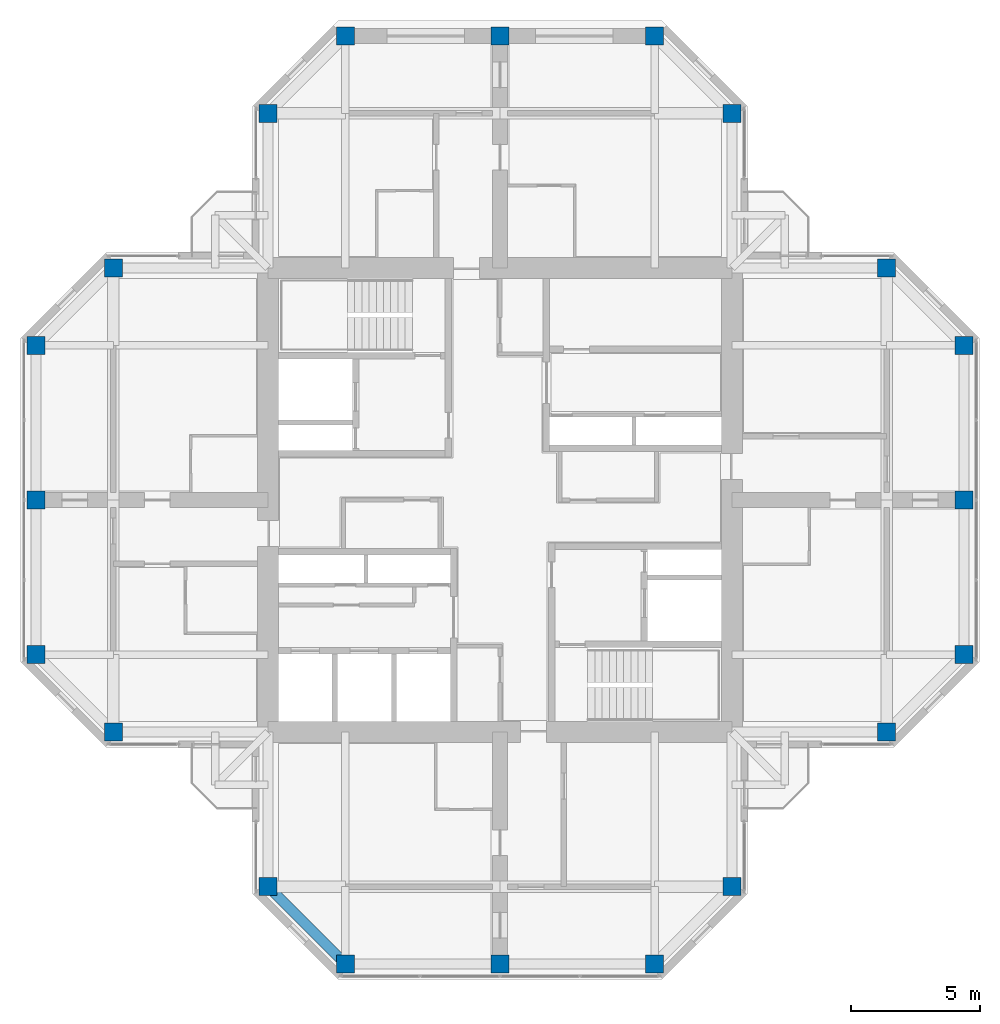
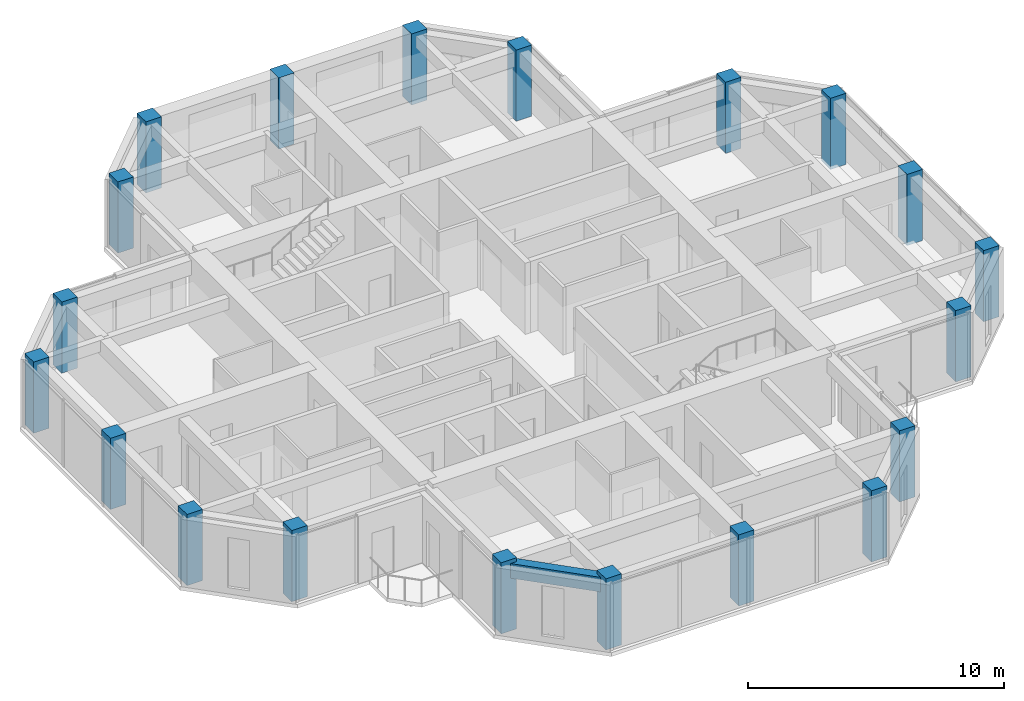
# One storey, part 1 of 13: 20 columns, 1 beam.
"""IFC4 building model written with IfcOpenShell, lengths in metres."""

from ifc_helpers import new_model, si_unit, direction, frame, origin, origin_2d, place, context, subcontext, project, spatial, rectangle, extrude, material, material_profile, profile_set, type_object, element, save


model = new_model("IFC4")

# Units and contexts
model_context = context("Model", 3, precision=1e-05, world=origin(), true_north=direction((0.0, 1.0)))
body_context = subcontext(model_context, "Body", "Model", "MODEL_VIEW")
ifc_project = project(units=[si_unit("LENGTHUNIT", "METRE"), si_unit("AREAUNIT", "SQUARE_METRE"), si_unit("VOLUMEUNIT", "CUBIC_METRE"), si_unit("PLANEANGLEUNIT", "RADIAN"), si_unit("MASSUNIT", "GRAM", prefix="KILO")], contexts=[model_context])

# Site, building, storey
site_placement = place(None, origin())
site = spatial("IfcSite", under=ifc_project, at=site_placement, CompositionType="ELEMENT")
building_placement = place(site_placement, origin())
building = spatial("IfcBuilding", under=site, at=building_placement, Name="Torre Cruceta", CompositionType="ELEMENT")
storey_placement = place(building_placement, frame((0.0, 0.0, 267.89990234375)))
storey = spatial("IfcBuildingStorey", under=building, at=storey_placement, Name="L69", CompositionType="ELEMENT", Elevation=267.89990234375)

# Columns
ifc_material_1 = material(Name="Concrete G60 (fck 60 MPa)", Category="concrete")
ifc_material_profile_1 = material_profile(ifc_material_1, rectangle(XDim=0.699951171875, YDim=0.699951171875, at=origin_2d()), Name="RC 700X700")
ifc_profile_set_1 = profile_set([ifc_material_profile_1], Name="Concrete G60 (fck 60 MPa)")
column_type = type_object("IfcColumnType", Name="COLUMN RC 700X700", PredefinedType="COLUMN", material=ifc_profile_set_1)
for number, where, z_axis, x_axis, name in (
    (1, (9.0, 15.0, 0.0), (0.0, 0.0, 1.0), (1.0, 0.0, 0.0), "C8 L69 N chamfer"),
    (2, (-9.0, 15.0, 0.0), (0.0, 0.0, 1.0), (1.0, 0.0, 0.0), "C8 L69 N chamfer"),
    (3, (6.0, 18.0, 0.0), (0.0, 0.0, 1.0), (1.0, 0.0, 0.0), "C8 L69 N tip"),
    (4, (0.0, 18.0, 0.0), (0.0, 0.0, 1.0), (1.0, 0.0, 0.0), "C8 L69 N tip"),
    (5, (-6.0, 18.0, 0.0), (0.0, 0.0, 1.0), (1.0, 0.0, 0.0), "C8 L69 N tip"),
    (6, (15.0, -9.0, 0.0), (0.0, 0.0, 1.0), (1.0, 0.0, 0.0), "C8 L69 E chamfer"),
    (7, (15.0, 9.0, 0.0), (0.0, 0.0, 1.0), (1.0, 0.0, 0.0), "C8 L69 E chamfer"),
    (8, (18.0, -6.0, 0.0), (0.0, 0.0, 1.0), (1.0, 0.0, 0.0), "C8 L69 E tip"),
    (9, (18.0, 0.0, 0.0), (0.0, 0.0, 1.0), (1.0, 0.0, 0.0), "C8 L69 E tip"),
    (10, (18.0, 6.0, 0.0), (0.0, 0.0, 1.0), (1.0, 0.0, 0.0), "C8 L69 E tip"),
    (11, (-9.0, -15.0, 0.0), (0.0, 0.0, 1.0), (1.0, 0.0, 0.0), "C8 L69 S chamfer"),
    (12, (9.0, -15.0, 0.0), (0.0, 0.0, 1.0), (1.0, 0.0, 0.0), "C8 L69 S chamfer"),
    (13, (-6.0, -18.0, 0.0), (0.0, 0.0, 1.0), (1.0, 0.0, 0.0), "C8 L69 S tip"),
    (14, (0.0, -18.0, 0.0), (0.0, 0.0, 1.0), (1.0, 0.0, 0.0), "C8 L69 S tip"),
    (15, (6.0, -18.0, 0.0), (0.0, 0.0, 1.0), (1.0, 0.0, 0.0), "C8 L69 S tip"),
    (16, (-15.0, 9.0, 0.0), (0.0, 0.0, 1.0), (1.0, 0.0, 0.0), "C8 L69 W chamfer"),
    (17, (-15.0, -9.0, 0.0), (0.0, 0.0, 1.0), (1.0, 0.0, 0.0), "C8 L69 W chamfer"),
    (18, (-18.0, 6.0, 0.0), (0.0, 0.0, 1.0), (1.0, 0.0, 0.0), "C8 L69 W tip"),
    (19, (-18.0, 0.0, 0.0), (0.0, 0.0, 1.0), (1.0, 0.0, 0.0), "C8 L69 W tip"),
    (20, (-18.0, -6.0, 0.0), (0.0, 0.0, 1.0), (1.0, 0.0, 0.0), "C8 L69 W tip"),
):
    element("IfcColumn", number, at=place(storey_placement, frame(where, z_axis=z_axis, x_axis=x_axis)), inside=storey, type_object=column_type, Name=name, PredefinedType="COLUMN", context=body_context, shape_type="SweptSolid", body=[
        extrude(rectangle(XDim=0.699951171875, YDim=0.699951171875, at=origin_2d()), origin(), (0.0, 0.0, 1.0), 3.400146484375),
    ])

# Beam
ifc_material_2 = material(Name="Concrete G60 (fck 60 MPa)", Category="concrete")
ifc_material_profile_2 = material_profile(ifc_material_2, rectangle(XDim=0.39990234375, YDim=0.699951171875, at=origin_2d()), Name="RC 400X700")
ifc_profile_set_2 = profile_set([ifc_material_profile_2], Name="Concrete G60 (fck 60 MPa)")
beam_type = type_object("IfcBeamType", Name="SPANDREL BEAM RC 400X700", PredefinedType="SPANDREL", material=ifc_profile_set_2)
beam_placement = place(storey_placement, frame((-9.0, -15.0, 2.8701171875), z_axis=(0.707106781187, -0.707106781187, 0.0), x_axis=(0.707106781187, 0.707106781187, 0.0)))
element("IfcBeam", 21, at=beam_placement, inside=storey, type_object=beam_type, Name="SB8 L69 S side- 2", PredefinedType="SPANDREL", context=body_context, shape_type="SweptSolid", body=[
    extrude(rectangle(XDim=0.39990234375, YDim=0.699951171875, at=origin_2d()), origin(), (0.0, 0.0, 1.0), 4.24267578125),
])

save(model, "model.ifc")
